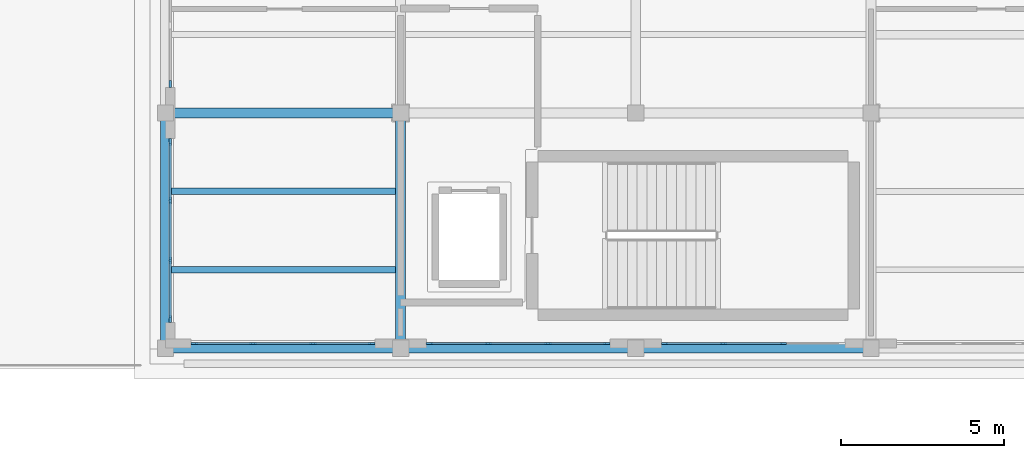
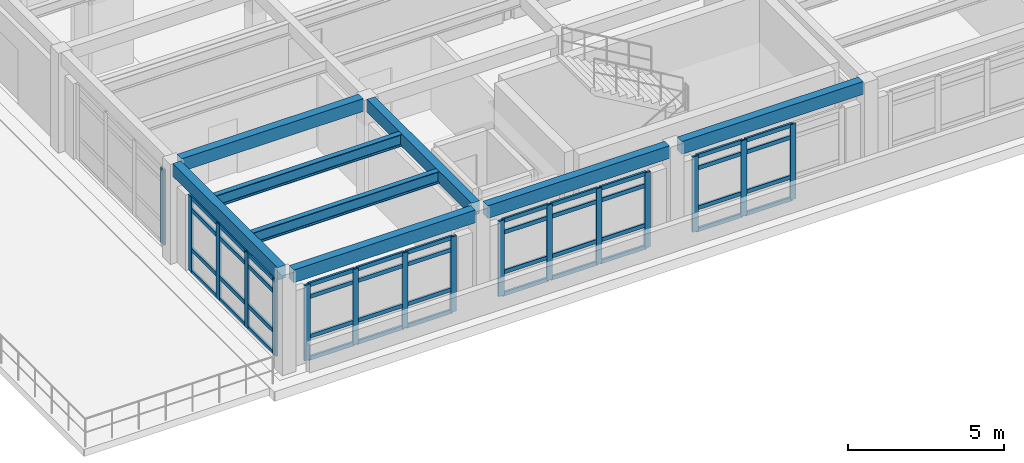
# One storey, part 2 of 18: 60 members, 8 beams, 5 elements without a shape of their own.
"""IFC4 building model written with IfcOpenShell, lengths in metres."""

from ifc_helpers import new_model, si_unit, direction, frame, origin, origin_2d, place, context, subcontext, project, spatial, rectangle, i_section, extrude, material, layer, layer_set, material_profile, profile_set, type_object, element, aggregate, save


model = new_model("IFC4")

# Units and contexts
model_context = context("Model", 3, precision=1e-05, world=origin(), true_north=direction((0.0, 1.0)))
body_context = subcontext(model_context, "Body", "Model", "MODEL_VIEW")
ifc_project = project(units=[si_unit("LENGTHUNIT", "METRE"), si_unit("AREAUNIT", "SQUARE_METRE"), si_unit("VOLUMEUNIT", "CUBIC_METRE"), si_unit("PLANEANGLEUNIT", "RADIAN"), si_unit("MASSUNIT", "GRAM", prefix="KILO")], contexts=[model_context])

# Site, building, storey
site_placement = place(None, origin())
site = spatial("IfcSite", under=ifc_project, at=site_placement, CompositionType="ELEMENT")
building_placement = place(site_placement, origin())
building = spatial("IfcBuilding", under=site, at=building_placement, Name="Solenvale Faculty of Natural Sciences", CompositionType="ELEMENT")
storey_placement = place(building_placement, frame((0.0, 0.0, 39.60009765625)))
storey = spatial("IfcBuildingStorey", under=building, at=storey_placement, Name="L09", CompositionType="ELEMENT", Elevation=39.60009765625)

# Beams
ifc_material_1 = material(Name="Concrete 40 MPa", Category="concrete")
ifc_material_profile_1 = material_profile(ifc_material_1, rectangle(XDim=0.300048828125, YDim=0.5, at=origin_2d()), Name="RC-BM-300x500")
ifc_profile_set_1 = profile_set([ifc_material_profile_1], Name="Concrete 40 MPa")
beam_type_1 = type_object("IfcBeamType", Name="BM-RC-300x500", PredefinedType="BEAM", material=ifc_profile_set_1)
for number, where, z_axis, x_axis, name in (
    (1, (93.830078125, 93.60009765625, 3.669921875), (1.0, 0.0, 0.0), (0.0, 1.0, 0.0), "L09 X-Girder Y93.6 (93.6..100.8)"),
    (2, (101.030029296875, 93.60009765625, 3.669921875), (1.0, 0.0, 0.0), (0.0, 1.0, 0.0), "L09 X-Girder Y93.6 (100.8..108.0)"),
    (3, (108.22998046875, 93.60009765625, 3.669921875), (1.0, 0.0, 0.0), (0.0, 1.0, 0.0), "L09 X-Girder Y93.6 (108.0..115.2)"),
    (4, (93.830078125, 100.800048828125, 3.669921875), (1.0, 0.0, 0.0), (0.0, 1.0, 0.0), "L09 X-Girder Y100.8 (93.6..100.8)"),
    (5, (93.60009765625, 93.830078125, 3.669921875), (0.0, 1.0, 0.0), (-1.0, 0.0, 0.0), "L09 Y-Girder X93.6 (93.6..100.8)"),
    (6, (100.800048828125, 93.830078125, 3.669921875), (0.0, 1.0, 0.0), (-1.0, 0.0, 0.0), "L09 Y-Girder X100.8 (93.6..100.8)"),
):
    element("IfcBeam", number, at=place(storey_placement, frame(where, z_axis=z_axis, x_axis=x_axis)), inside=storey, type_object=beam_type_1, Name=name, PredefinedType="BEAM", context=body_context, shape_type="SweptSolid", body=[
        extrude(rectangle(XDim=0.300048828125, YDim=0.5, at=origin_2d()), origin(), (0.0, 0.0, 1.0), 6.739990234375),
    ])
ifc_material_2 = material(Name="Steel S355", Category="steel")
ifc_material_profile_2 = material_profile(ifc_material_2, i_section(OverallWidth=0.194091796875, OverallDepth=0.468994140625, WebThickness=0.0126953125, FlangeThickness=0.0205078125, FilletRadius=0.01806640625, at=origin_2d()), Name="W460x106")
ifc_profile_set_2 = profile_set([ifc_material_profile_2], Name="Steel S355")
beam_type_2 = type_object("IfcBeamType", Name="BM-STL-W460x106", PredefinedType="JOIST", material=ifc_profile_set_2)
for number, where, z_axis, x_axis, name in (
    (7, (93.72998046875, 96.0, 3.685302734375), (1.0, 0.0, 0.0), (0.0, 1.0, 0.0), "L09 Composite Floor Joist (14,14).1"),
    (8, (93.72998046875, 98.39990234375, 3.685302734375), (1.0, 0.0, 0.0), (0.0, 1.0, 0.0), "L09 Composite Floor Joist (14,14).2"),
):
    element("IfcBeam", number, at=place(storey_placement, frame(where, z_axis=z_axis, x_axis=x_axis)), inside=storey, type_object=beam_type_2, Name=name, PredefinedType="JOIST", context=body_context, shape_type="SweptSolid", body=[
        extrude(i_section(OverallWidth=0.194091796875, OverallDepth=0.468994140625, WebThickness=0.0126953125, FlangeThickness=0.0205078125, FilletRadius=0.01806640625, at=origin_2d()), origin(), (0.0, 0.0, 1.0), 6.93994140625),
    ])

# Curtain wall, member
ifc_material_3 = material(Name="Anodised bronze aluminium", Category="aluminium")
ifc_layer = layer(ifc_material_3, 0.179931640625)
ifc_layer_set = layer_set([ifc_layer], Name="Anodised bronze aluminium")
curtain_wall_type = type_object("IfcCurtainWallType", Name="CW-TWR-MOD", PredefinedType="USERDEFINED", material=ifc_layer_set)
curtain_wall_1_placement = place(storey_placement, origin())
curtain_wall_1 = element("IfcCurtainWall", 9, at=curtain_wall_1_placement, inside=storey, type_object=curtain_wall_type, Name="L09 Curtain Wall CW-L09-P1-E3-B2", ObjectType="UNITISED CURTAIN WALL", PredefinedType="USERDEFINED")
ifc_material_profile_3 = material_profile(ifc_material_3, rectangle(XDim=0.074951171875, YDim=0.2099609375, at=origin_2d()), Name="ALU-MUL-75x210")
ifc_profile_set_3 = profile_set([ifc_material_profile_3], Name="Anodised bronze aluminium")
member_type_1 = type_object("IfcMemberType", Name="CWM-ALU-75x210", PredefinedType="MULLION", material=ifc_profile_set_3)
member_1_placement = place(storey_placement, frame((93.742431640625, 101.6875, 0.0), z_axis=(0.0, 0.0, 1.0), x_axis=(1.0, 0.0, 0.0)))
member_1 = element("IfcMember", 10, at=member_1_placement, type_object=member_type_1, Name="CW-04 mullion 4", PredefinedType="MULLION", context=body_context, shape_type="SweptSolid", body=[
    extrude(rectangle(XDim=0.074951171875, YDim=0.2099609375, at=origin_2d()), origin(), (0.0, 0.0, 1.0), 2.9599609375),
])
aggregate(curtain_wall_1, [member_1])

# Curtain wall, members
curtain_wall_2_placement = place(storey_placement, origin())
curtain_wall_2 = element("IfcCurtainWall", 11, at=curtain_wall_2_placement, inside=storey, type_object=curtain_wall_type, Name="L09 Curtain Wall CW-L09-P1-E3-B3", ObjectType="UNITISED CURTAIN WALL", PredefinedType="USERDEFINED")
member_2_placement = place(storey_placement, frame((93.742431640625, 99.91259765625, 0.0), z_axis=(0.0, 0.0, 1.0), x_axis=(1.0, 0.0, 0.0)))
member_2 = element("IfcMember", 12, at=member_2_placement, type_object=member_type_1, Name="CW-04 mullion 1", PredefinedType="MULLION", context=body_context, shape_type="SweptSolid", body=[
    extrude(rectangle(XDim=0.074951171875, YDim=0.2099609375, at=origin_2d()), origin(), (0.0, 0.0, 1.0), 2.9599609375),
])
member_3_placement = place(storey_placement, frame((93.742431640625, 98.11669921875, 0.0), z_axis=(0.0, 0.0, 1.0), x_axis=(1.0, 0.0, 0.0)))
member_3 = element("IfcMember", 13, at=member_3_placement, type_object=member_type_1, Name="CW-04 mullion 2", PredefinedType="MULLION", context=body_context, shape_type="SweptSolid", body=[
    extrude(rectangle(XDim=0.074951171875, YDim=0.2099609375, at=origin_2d()), origin(), (0.0, 0.0, 1.0), 2.9599609375),
])
member_4_placement = place(storey_placement, frame((93.742431640625, 96.283447265625, 0.0), z_axis=(0.0, 0.0, 1.0), x_axis=(1.0, 0.0, 0.0)))
member_4 = element("IfcMember", 14, at=member_4_placement, type_object=member_type_1, Name="CW-04 mullion 3", PredefinedType="MULLION", context=body_context, shape_type="SweptSolid", body=[
    extrude(rectangle(XDim=0.074951171875, YDim=0.2099609375, at=origin_2d()), origin(), (0.0, 0.0, 1.0), 2.9599609375),
])
member_5_placement = place(storey_placement, frame((93.742431640625, 94.487548828125, 0.0), z_axis=(0.0, 0.0, 1.0), x_axis=(1.0, 0.0, 0.0)))
member_5 = element("IfcMember", 15, at=member_5_placement, type_object=member_type_1, Name="CW-04 mullion 4", PredefinedType="MULLION", context=body_context, shape_type="SweptSolid", body=[
    extrude(rectangle(XDim=0.074951171875, YDim=0.2099609375, at=origin_2d()), origin(), (0.0, 0.0, 1.0), 2.9599609375),
])

curtain_wall_3_placement = place(storey_placement, origin())
curtain_wall_3 = element("IfcCurtainWall", 16, at=curtain_wall_3_placement, inside=storey, type_object=curtain_wall_type, Name="L09 Curtain Wall CW-L09-P1-E4-B1", ObjectType="UNITISED CURTAIN WALL", PredefinedType="USERDEFINED")
member_6_placement = place(storey_placement, frame((94.487548828125, 93.742431640625, 0.0), z_axis=(0.0, 0.0, 1.0), x_axis=(0.0, 1.0, 0.0)))
member_6 = element("IfcMember", 17, at=member_6_placement, type_object=member_type_1, Name="CW-04 mullion 1", PredefinedType="MULLION", context=body_context, shape_type="SweptSolid", body=[
    extrude(rectangle(XDim=0.074951171875, YDim=0.2099609375, at=origin_2d()), origin(), (0.0, 0.0, 1.0), 2.9599609375),
])
member_7_placement = place(storey_placement, frame((96.283447265625, 93.742431640625, 0.0), z_axis=(0.0, 0.0, 1.0), x_axis=(0.0, 1.0, 0.0)))
member_7 = element("IfcMember", 18, at=member_7_placement, type_object=member_type_1, Name="CW-04 mullion 2", PredefinedType="MULLION", context=body_context, shape_type="SweptSolid", body=[
    extrude(rectangle(XDim=0.074951171875, YDim=0.2099609375, at=origin_2d()), origin(), (0.0, 0.0, 1.0), 2.9599609375),
])
member_8_placement = place(storey_placement, frame((98.11669921875, 93.742431640625, 0.0), z_axis=(0.0, 0.0, 1.0), x_axis=(0.0, 1.0, 0.0)))
member_8 = element("IfcMember", 19, at=member_8_placement, type_object=member_type_1, Name="CW-04 mullion 3", PredefinedType="MULLION", context=body_context, shape_type="SweptSolid", body=[
    extrude(rectangle(XDim=0.074951171875, YDim=0.2099609375, at=origin_2d()), origin(), (0.0, 0.0, 1.0), 2.9599609375),
])
member_9_placement = place(storey_placement, frame((99.91259765625, 93.742431640625, 0.0), z_axis=(0.0, 0.0, 1.0), x_axis=(0.0, 1.0, 0.0)))
member_9 = element("IfcMember", 20, at=member_9_placement, type_object=member_type_1, Name="CW-04 mullion 4", PredefinedType="MULLION", context=body_context, shape_type="SweptSolid", body=[
    extrude(rectangle(XDim=0.074951171875, YDim=0.2099609375, at=origin_2d()), origin(), (0.0, 0.0, 1.0), 2.9599609375),
])

curtain_wall_4_placement = place(storey_placement, origin())
curtain_wall_4 = element("IfcCurtainWall", 21, at=curtain_wall_4_placement, inside=storey, type_object=curtain_wall_type, Name="L09 Curtain Wall CW-L09-P1-E4-B2", ObjectType="UNITISED CURTAIN WALL", PredefinedType="USERDEFINED")
member_10_placement = place(storey_placement, frame((101.6875, 93.742431640625, 0.0), z_axis=(0.0, 0.0, 1.0), x_axis=(0.0, 1.0, 0.0)))
member_10 = element("IfcMember", 22, at=member_10_placement, type_object=member_type_1, Name="CW-04 mullion 1", PredefinedType="MULLION", context=body_context, shape_type="SweptSolid", body=[
    extrude(rectangle(XDim=0.074951171875, YDim=0.2099609375, at=origin_2d()), origin(), (0.0, 0.0, 1.0), 2.9599609375),
])
member_11_placement = place(storey_placement, frame((103.4833984375, 93.742431640625, 0.0), z_axis=(0.0, 0.0, 1.0), x_axis=(0.0, 1.0, 0.0)))
member_11 = element("IfcMember", 23, at=member_11_placement, type_object=member_type_1, Name="CW-04 mullion 2", PredefinedType="MULLION", context=body_context, shape_type="SweptSolid", body=[
    extrude(rectangle(XDim=0.074951171875, YDim=0.2099609375, at=origin_2d()), origin(), (0.0, 0.0, 1.0), 2.9599609375),
])
member_12_placement = place(storey_placement, frame((105.316650390625, 93.742431640625, 0.0), z_axis=(0.0, 0.0, 1.0), x_axis=(0.0, 1.0, 0.0)))
member_12 = element("IfcMember", 24, at=member_12_placement, type_object=member_type_1, Name="CW-04 mullion 3", PredefinedType="MULLION", context=body_context, shape_type="SweptSolid", body=[
    extrude(rectangle(XDim=0.074951171875, YDim=0.2099609375, at=origin_2d()), origin(), (0.0, 0.0, 1.0), 2.9599609375),
])
member_13_placement = place(storey_placement, frame((107.112548828125, 93.742431640625, 0.0), z_axis=(0.0, 0.0, 1.0), x_axis=(0.0, 1.0, 0.0)))
member_13 = element("IfcMember", 25, at=member_13_placement, type_object=member_type_1, Name="CW-04 mullion 4", PredefinedType="MULLION", context=body_context, shape_type="SweptSolid", body=[
    extrude(rectangle(XDim=0.074951171875, YDim=0.2099609375, at=origin_2d()), origin(), (0.0, 0.0, 1.0), 2.9599609375),
])

curtain_wall_5_placement = place(storey_placement, origin())
curtain_wall_5 = element("IfcCurtainWall", 26, at=curtain_wall_5_placement, inside=storey, type_object=curtain_wall_type, Name="L09 Curtain Wall CW-L09-P1-E4-B3", ObjectType="UNITISED CURTAIN WALL", PredefinedType="USERDEFINED")
member_14_placement = place(storey_placement, frame((108.887451171875, 93.742431640625, 0.0), z_axis=(0.0, 0.0, 1.0), x_axis=(0.0, 1.0, 0.0)))
member_14 = element("IfcMember", 27, at=member_14_placement, type_object=member_type_1, Name="CW-04 mullion 1", PredefinedType="MULLION", context=body_context, shape_type="SweptSolid", body=[
    extrude(rectangle(XDim=0.074951171875, YDim=0.2099609375, at=origin_2d()), origin(), (0.0, 0.0, 1.0), 2.9599609375),
])
member_15_placement = place(storey_placement, frame((110.683349609375, 93.742431640625, 0.0), z_axis=(0.0, 0.0, 1.0), x_axis=(0.0, 1.0, 0.0)))
member_15 = element("IfcMember", 28, at=member_15_placement, type_object=member_type_1, Name="CW-04 mullion 2", PredefinedType="MULLION", context=body_context, shape_type="SweptSolid", body=[
    extrude(rectangle(XDim=0.074951171875, YDim=0.2099609375, at=origin_2d()), origin(), (0.0, 0.0, 1.0), 2.9599609375),
])
member_16_placement = place(storey_placement, frame((112.5166015625, 93.742431640625, 0.0), z_axis=(0.0, 0.0, 1.0), x_axis=(0.0, 1.0, 0.0)))
member_16 = element("IfcMember", 29, at=member_16_placement, type_object=member_type_1, Name="CW-04 mullion 3", PredefinedType="MULLION", context=body_context, shape_type="SweptSolid", body=[
    extrude(rectangle(XDim=0.074951171875, YDim=0.2099609375, at=origin_2d()), origin(), (0.0, 0.0, 1.0), 2.9599609375),
])

# Member
ifc_material_profile_4 = material_profile(ifc_material_3, rectangle(XDim=0.074951171875, YDim=0.155029296875, at=origin_2d()), Name="ALU-TRN-75x155")
ifc_profile_set_4 = profile_set([ifc_material_profile_4], Name="Anodised bronze aluminium")
member_type_2 = type_object("IfcMemberType", Name="CWT-ALU-75x155", PredefinedType="USERDEFINED", material=ifc_profile_set_4)
member_17_placement = place(storey_placement, frame((93.742431640625, 99.875, 0.037353515625), z_axis=(0.0, -1.0, 0.0), x_axis=(1.0, 0.0, 0.0)))
member_17 = element("IfcMember", 30, at=member_17_placement, type_object=member_type_2, Name="CW-04 transom 1.1", ObjectType="TRANSOM", PredefinedType="USERDEFINED", context=body_context, shape_type="SweptSolid", body=[
    extrude(rectangle(XDim=0.074951171875, YDim=0.155029296875, at=origin_2d()), origin(), (0.0, 0.0, 1.0), 1.720947265625),
])

member_18_placement = place(storey_placement, frame((93.742431640625, 99.875, 0.89990234375), z_axis=(0.0, -1.0, 0.0), x_axis=(1.0, 0.0, 0.0)))
member_18 = element("IfcMember", 31, at=member_18_placement, type_object=member_type_2, Name="CW-04 transom 1.2", ObjectType="TRANSOM", PredefinedType="USERDEFINED", context=body_context, shape_type="SweptSolid", body=[
    extrude(rectangle(XDim=0.074951171875, YDim=0.155029296875, at=origin_2d()), origin(), (0.0, 0.0, 1.0), 1.720947265625),
])

member_19_placement = place(storey_placement, frame((93.742431640625, 99.875, 2.4599609375), z_axis=(0.0, -1.0, 0.0), x_axis=(1.0, 0.0, 0.0)))
member_19 = element("IfcMember", 32, at=member_19_placement, type_object=member_type_2, Name="CW-04 transom 1.3", ObjectType="TRANSOM", PredefinedType="USERDEFINED", context=body_context, shape_type="SweptSolid", body=[
    extrude(rectangle(XDim=0.074951171875, YDim=0.155029296875, at=origin_2d()), origin(), (0.0, 0.0, 1.0), 1.720947265625),
])

member_20_placement = place(storey_placement, frame((93.742431640625, 99.875, 2.92236328125), z_axis=(0.0, -1.0, 0.0), x_axis=(1.0, 0.0, 0.0)))
member_20 = element("IfcMember", 33, at=member_20_placement, type_object=member_type_2, Name="CW-04 transom 1.4", ObjectType="TRANSOM", PredefinedType="USERDEFINED", context=body_context, shape_type="SweptSolid", body=[
    extrude(rectangle(XDim=0.074951171875, YDim=0.155029296875, at=origin_2d()), origin(), (0.0, 0.0, 1.0), 1.720947265625),
])

member_21_placement = place(storey_placement, frame((93.742431640625, 98.0791015625, 0.037353515625), z_axis=(0.0, -1.0, 0.0), x_axis=(1.0, 0.0, 0.0)))
member_21 = element("IfcMember", 34, at=member_21_placement, type_object=member_type_2, Name="CW-04 transom 2.1", ObjectType="TRANSOM", PredefinedType="USERDEFINED", context=body_context, shape_type="SweptSolid", body=[
    extrude(rectangle(XDim=0.074951171875, YDim=0.155029296875, at=origin_2d()), origin(), (0.0, 0.0, 1.0), 1.75830078125),
])

member_22_placement = place(storey_placement, frame((93.742431640625, 98.0791015625, 0.89990234375), z_axis=(0.0, -1.0, 0.0), x_axis=(1.0, 0.0, 0.0)))
member_22 = element("IfcMember", 35, at=member_22_placement, type_object=member_type_2, Name="CW-04 transom 2.2", ObjectType="TRANSOM", PredefinedType="USERDEFINED", context=body_context, shape_type="SweptSolid", body=[
    extrude(rectangle(XDim=0.074951171875, YDim=0.155029296875, at=origin_2d()), origin(), (0.0, 0.0, 1.0), 1.75830078125),
])

member_23_placement = place(storey_placement, frame((93.742431640625, 98.0791015625, 2.4599609375), z_axis=(0.0, -1.0, 0.0), x_axis=(1.0, 0.0, 0.0)))
member_23 = element("IfcMember", 36, at=member_23_placement, type_object=member_type_2, Name="CW-04 transom 2.3", ObjectType="TRANSOM", PredefinedType="USERDEFINED", context=body_context, shape_type="SweptSolid", body=[
    extrude(rectangle(XDim=0.074951171875, YDim=0.155029296875, at=origin_2d()), origin(), (0.0, 0.0, 1.0), 1.75830078125),
])

member_24_placement = place(storey_placement, frame((93.742431640625, 98.0791015625, 2.92236328125), z_axis=(0.0, -1.0, 0.0), x_axis=(1.0, 0.0, 0.0)))
member_24 = element("IfcMember", 37, at=member_24_placement, type_object=member_type_2, Name="CW-04 transom 2.4", ObjectType="TRANSOM", PredefinedType="USERDEFINED", context=body_context, shape_type="SweptSolid", body=[
    extrude(rectangle(XDim=0.074951171875, YDim=0.155029296875, at=origin_2d()), origin(), (0.0, 0.0, 1.0), 1.75830078125),
])

member_25_placement = place(storey_placement, frame((93.742431640625, 96.245849609375, 0.037353515625), z_axis=(0.0, -1.0, 0.0), x_axis=(1.0, 0.0, 0.0)))
member_25 = element("IfcMember", 38, at=member_25_placement, type_object=member_type_2, Name="CW-04 transom 3.1", ObjectType="TRANSOM", PredefinedType="USERDEFINED", context=body_context, shape_type="SweptSolid", body=[
    extrude(rectangle(XDim=0.074951171875, YDim=0.155029296875, at=origin_2d()), origin(), (0.0, 0.0, 1.0), 1.720947265625),
])

member_26_placement = place(storey_placement, frame((93.742431640625, 96.245849609375, 0.89990234375), z_axis=(0.0, -1.0, 0.0), x_axis=(1.0, 0.0, 0.0)))
member_26 = element("IfcMember", 39, at=member_26_placement, type_object=member_type_2, Name="CW-04 transom 3.2", ObjectType="TRANSOM", PredefinedType="USERDEFINED", context=body_context, shape_type="SweptSolid", body=[
    extrude(rectangle(XDim=0.074951171875, YDim=0.155029296875, at=origin_2d()), origin(), (0.0, 0.0, 1.0), 1.720947265625),
])

member_27_placement = place(storey_placement, frame((93.742431640625, 96.245849609375, 2.4599609375), z_axis=(0.0, -1.0, 0.0), x_axis=(1.0, 0.0, 0.0)))
member_27 = element("IfcMember", 40, at=member_27_placement, type_object=member_type_2, Name="CW-04 transom 3.3", ObjectType="TRANSOM", PredefinedType="USERDEFINED", context=body_context, shape_type="SweptSolid", body=[
    extrude(rectangle(XDim=0.074951171875, YDim=0.155029296875, at=origin_2d()), origin(), (0.0, 0.0, 1.0), 1.720947265625),
])

member_28_placement = place(storey_placement, frame((93.742431640625, 96.245849609375, 2.92236328125), z_axis=(0.0, -1.0, 0.0), x_axis=(1.0, 0.0, 0.0)))
member_28 = element("IfcMember", 41, at=member_28_placement, type_object=member_type_2, Name="CW-04 transom 3.4", ObjectType="TRANSOM", PredefinedType="USERDEFINED", context=body_context, shape_type="SweptSolid", body=[
    extrude(rectangle(XDim=0.074951171875, YDim=0.155029296875, at=origin_2d()), origin(), (0.0, 0.0, 1.0), 1.720947265625),
])

aggregate(curtain_wall_2, [member_2, member_3, member_4, member_5, member_17, member_18, member_19, member_20, member_21, member_22, member_23, member_24, member_25, member_26, member_27, member_28])

member_29_placement = place(storey_placement, frame((94.52490234375, 93.742431640625, 0.037353515625), z_axis=(1.0, 0.0, 0.0), x_axis=(0.0, 1.0, 0.0)))
member_29 = element("IfcMember", 42, at=member_29_placement, type_object=member_type_2, Name="CW-04 transom 1.1", ObjectType="TRANSOM", PredefinedType="USERDEFINED", context=body_context, shape_type="SweptSolid", body=[
    extrude(rectangle(XDim=0.074951171875, YDim=0.155029296875, at=origin_2d()), origin(), (0.0, 0.0, 1.0), 1.720947265625),
])

member_30_placement = place(storey_placement, frame((94.52490234375, 93.742431640625, 0.89990234375), z_axis=(1.0, 0.0, 0.0), x_axis=(0.0, 1.0, 0.0)))
member_30 = element("IfcMember", 43, at=member_30_placement, type_object=member_type_2, Name="CW-04 transom 1.2", ObjectType="TRANSOM", PredefinedType="USERDEFINED", context=body_context, shape_type="SweptSolid", body=[
    extrude(rectangle(XDim=0.074951171875, YDim=0.155029296875, at=origin_2d()), origin(), (0.0, 0.0, 1.0), 1.720947265625),
])

member_31_placement = place(storey_placement, frame((94.52490234375, 93.742431640625, 2.4599609375), z_axis=(1.0, 0.0, 0.0), x_axis=(0.0, 1.0, 0.0)))
member_31 = element("IfcMember", 44, at=member_31_placement, type_object=member_type_2, Name="CW-04 transom 1.3", ObjectType="TRANSOM", PredefinedType="USERDEFINED", context=body_context, shape_type="SweptSolid", body=[
    extrude(rectangle(XDim=0.074951171875, YDim=0.155029296875, at=origin_2d()), origin(), (0.0, 0.0, 1.0), 1.720947265625),
])

member_32_placement = place(storey_placement, frame((94.52490234375, 93.742431640625, 2.92236328125), z_axis=(1.0, 0.0, 0.0), x_axis=(0.0, 1.0, 0.0)))
member_32 = element("IfcMember", 45, at=member_32_placement, type_object=member_type_2, Name="CW-04 transom 1.4", ObjectType="TRANSOM", PredefinedType="USERDEFINED", context=body_context, shape_type="SweptSolid", body=[
    extrude(rectangle(XDim=0.074951171875, YDim=0.155029296875, at=origin_2d()), origin(), (0.0, 0.0, 1.0), 1.720947265625),
])

member_33_placement = place(storey_placement, frame((96.32080078125, 93.742431640625, 0.037353515625), z_axis=(1.0, 0.0, 0.0), x_axis=(0.0, 1.0, 0.0)))
member_33 = element("IfcMember", 46, at=member_33_placement, type_object=member_type_2, Name="CW-04 transom 2.1", ObjectType="TRANSOM", PredefinedType="USERDEFINED", context=body_context, shape_type="SweptSolid", body=[
    extrude(rectangle(XDim=0.074951171875, YDim=0.155029296875, at=origin_2d()), origin(), (0.0, 0.0, 1.0), 1.75830078125),
])

member_34_placement = place(storey_placement, frame((96.32080078125, 93.742431640625, 0.89990234375), z_axis=(1.0, 0.0, 0.0), x_axis=(0.0, 1.0, 0.0)))
member_34 = element("IfcMember", 47, at=member_34_placement, type_object=member_type_2, Name="CW-04 transom 2.2", ObjectType="TRANSOM", PredefinedType="USERDEFINED", context=body_context, shape_type="SweptSolid", body=[
    extrude(rectangle(XDim=0.074951171875, YDim=0.155029296875, at=origin_2d()), origin(), (0.0, 0.0, 1.0), 1.75830078125),
])

member_35_placement = place(storey_placement, frame((96.32080078125, 93.742431640625, 2.4599609375), z_axis=(1.0, 0.0, 0.0), x_axis=(0.0, 1.0, 0.0)))
member_35 = element("IfcMember", 48, at=member_35_placement, type_object=member_type_2, Name="CW-04 transom 2.3", ObjectType="TRANSOM", PredefinedType="USERDEFINED", context=body_context, shape_type="SweptSolid", body=[
    extrude(rectangle(XDim=0.074951171875, YDim=0.155029296875, at=origin_2d()), origin(), (0.0, 0.0, 1.0), 1.75830078125),
])

member_36_placement = place(storey_placement, frame((96.32080078125, 93.742431640625, 2.92236328125), z_axis=(1.0, 0.0, 0.0), x_axis=(0.0, 1.0, 0.0)))
member_36 = element("IfcMember", 49, at=member_36_placement, type_object=member_type_2, Name="CW-04 transom 2.4", ObjectType="TRANSOM", PredefinedType="USERDEFINED", context=body_context, shape_type="SweptSolid", body=[
    extrude(rectangle(XDim=0.074951171875, YDim=0.155029296875, at=origin_2d()), origin(), (0.0, 0.0, 1.0), 1.75830078125),
])

member_37_placement = place(storey_placement, frame((98.154052734375, 93.742431640625, 0.037353515625), z_axis=(1.0, 0.0, 0.0), x_axis=(0.0, 1.0, 0.0)))
member_37 = element("IfcMember", 50, at=member_37_placement, type_object=member_type_2, Name="CW-04 transom 3.1", ObjectType="TRANSOM", PredefinedType="USERDEFINED", context=body_context, shape_type="SweptSolid", body=[
    extrude(rectangle(XDim=0.074951171875, YDim=0.155029296875, at=origin_2d()), origin(), (0.0, 0.0, 1.0), 1.720947265625),
])

member_38_placement = place(storey_placement, frame((98.154052734375, 93.742431640625, 0.89990234375), z_axis=(1.0, 0.0, 0.0), x_axis=(0.0, 1.0, 0.0)))
member_38 = element("IfcMember", 51, at=member_38_placement, type_object=member_type_2, Name="CW-04 transom 3.2", ObjectType="TRANSOM", PredefinedType="USERDEFINED", context=body_context, shape_type="SweptSolid", body=[
    extrude(rectangle(XDim=0.074951171875, YDim=0.155029296875, at=origin_2d()), origin(), (0.0, 0.0, 1.0), 1.720947265625),
])

member_39_placement = place(storey_placement, frame((98.154052734375, 93.742431640625, 2.4599609375), z_axis=(1.0, 0.0, 0.0), x_axis=(0.0, 1.0, 0.0)))
member_39 = element("IfcMember", 52, at=member_39_placement, type_object=member_type_2, Name="CW-04 transom 3.3", ObjectType="TRANSOM", PredefinedType="USERDEFINED", context=body_context, shape_type="SweptSolid", body=[
    extrude(rectangle(XDim=0.074951171875, YDim=0.155029296875, at=origin_2d()), origin(), (0.0, 0.0, 1.0), 1.720947265625),
])

member_40_placement = place(storey_placement, frame((98.154052734375, 93.742431640625, 2.92236328125), z_axis=(1.0, 0.0, 0.0), x_axis=(0.0, 1.0, 0.0)))
member_40 = element("IfcMember", 53, at=member_40_placement, type_object=member_type_2, Name="CW-04 transom 3.4", ObjectType="TRANSOM", PredefinedType="USERDEFINED", context=body_context, shape_type="SweptSolid", body=[
    extrude(rectangle(XDim=0.074951171875, YDim=0.155029296875, at=origin_2d()), origin(), (0.0, 0.0, 1.0), 1.720947265625),
])

aggregate(curtain_wall_3, [member_6, member_7, member_8, member_9, member_29, member_30, member_31, member_32, member_33, member_34, member_35, member_36, member_37, member_38, member_39, member_40])

member_41_placement = place(storey_placement, frame((101.72509765625, 93.742431640625, 0.037353515625), z_axis=(1.0, 0.0, 0.0), x_axis=(0.0, 1.0, 0.0)))
member_41 = element("IfcMember", 54, at=member_41_placement, type_object=member_type_2, Name="CW-04 transom 1.1", ObjectType="TRANSOM", PredefinedType="USERDEFINED", context=body_context, shape_type="SweptSolid", body=[
    extrude(rectangle(XDim=0.074951171875, YDim=0.155029296875, at=origin_2d()), origin(), (0.0, 0.0, 1.0), 1.720703125),
])

member_42_placement = place(storey_placement, frame((101.72509765625, 93.742431640625, 0.89990234375), z_axis=(1.0, 0.0, 0.0), x_axis=(0.0, 1.0, 0.0)))
member_42 = element("IfcMember", 55, at=member_42_placement, type_object=member_type_2, Name="CW-04 transom 1.2", ObjectType="TRANSOM", PredefinedType="USERDEFINED", context=body_context, shape_type="SweptSolid", body=[
    extrude(rectangle(XDim=0.074951171875, YDim=0.155029296875, at=origin_2d()), origin(), (0.0, 0.0, 1.0), 1.720703125),
])

member_43_placement = place(storey_placement, frame((101.72509765625, 93.742431640625, 2.4599609375), z_axis=(1.0, 0.0, 0.0), x_axis=(0.0, 1.0, 0.0)))
member_43 = element("IfcMember", 56, at=member_43_placement, type_object=member_type_2, Name="CW-04 transom 1.3", ObjectType="TRANSOM", PredefinedType="USERDEFINED", context=body_context, shape_type="SweptSolid", body=[
    extrude(rectangle(XDim=0.074951171875, YDim=0.155029296875, at=origin_2d()), origin(), (0.0, 0.0, 1.0), 1.720703125),
])

member_44_placement = place(storey_placement, frame((101.72509765625, 93.742431640625, 2.92236328125), z_axis=(1.0, 0.0, 0.0), x_axis=(0.0, 1.0, 0.0)))
member_44 = element("IfcMember", 57, at=member_44_placement, type_object=member_type_2, Name="CW-04 transom 1.4", ObjectType="TRANSOM", PredefinedType="USERDEFINED", context=body_context, shape_type="SweptSolid", body=[
    extrude(rectangle(XDim=0.074951171875, YDim=0.155029296875, at=origin_2d()), origin(), (0.0, 0.0, 1.0), 1.720703125),
])

member_45_placement = place(storey_placement, frame((103.520751953125, 93.742431640625, 0.037353515625), z_axis=(1.0, 0.0, 0.0), x_axis=(0.0, 1.0, 0.0)))
member_45 = element("IfcMember", 58, at=member_45_placement, type_object=member_type_2, Name="CW-04 transom 2.1", ObjectType="TRANSOM", PredefinedType="USERDEFINED", context=body_context, shape_type="SweptSolid", body=[
    extrude(rectangle(XDim=0.074951171875, YDim=0.155029296875, at=origin_2d()), origin(), (0.0, 0.0, 1.0), 1.75830078125),
])

member_46_placement = place(storey_placement, frame((103.520751953125, 93.742431640625, 0.89990234375), z_axis=(1.0, 0.0, 0.0), x_axis=(0.0, 1.0, 0.0)))
member_46 = element("IfcMember", 59, at=member_46_placement, type_object=member_type_2, Name="CW-04 transom 2.2", ObjectType="TRANSOM", PredefinedType="USERDEFINED", context=body_context, shape_type="SweptSolid", body=[
    extrude(rectangle(XDim=0.074951171875, YDim=0.155029296875, at=origin_2d()), origin(), (0.0, 0.0, 1.0), 1.75830078125),
])

member_47_placement = place(storey_placement, frame((103.520751953125, 93.742431640625, 2.4599609375), z_axis=(1.0, 0.0, 0.0), x_axis=(0.0, 1.0, 0.0)))
member_47 = element("IfcMember", 60, at=member_47_placement, type_object=member_type_2, Name="CW-04 transom 2.3", ObjectType="TRANSOM", PredefinedType="USERDEFINED", context=body_context, shape_type="SweptSolid", body=[
    extrude(rectangle(XDim=0.074951171875, YDim=0.155029296875, at=origin_2d()), origin(), (0.0, 0.0, 1.0), 1.75830078125),
])

member_48_placement = place(storey_placement, frame((103.520751953125, 93.742431640625, 2.92236328125), z_axis=(1.0, 0.0, 0.0), x_axis=(0.0, 1.0, 0.0)))
member_48 = element("IfcMember", 61, at=member_48_placement, type_object=member_type_2, Name="CW-04 transom 2.4", ObjectType="TRANSOM", PredefinedType="USERDEFINED", context=body_context, shape_type="SweptSolid", body=[
    extrude(rectangle(XDim=0.074951171875, YDim=0.155029296875, at=origin_2d()), origin(), (0.0, 0.0, 1.0), 1.75830078125),
])

member_49_placement = place(storey_placement, frame((105.354248046875, 93.742431640625, 0.037353515625), z_axis=(1.0, 0.0, 0.0), x_axis=(0.0, 1.0, 0.0)))
member_49 = element("IfcMember", 62, at=member_49_placement, type_object=member_type_2, Name="CW-04 transom 3.1", ObjectType="TRANSOM", PredefinedType="USERDEFINED", context=body_context, shape_type="SweptSolid", body=[
    extrude(rectangle(XDim=0.074951171875, YDim=0.155029296875, at=origin_2d()), origin(), (0.0, 0.0, 1.0), 1.720703125),
])

member_50_placement = place(storey_placement, frame((105.354248046875, 93.742431640625, 0.89990234375), z_axis=(1.0, 0.0, 0.0), x_axis=(0.0, 1.0, 0.0)))
member_50 = element("IfcMember", 63, at=member_50_placement, type_object=member_type_2, Name="CW-04 transom 3.2", ObjectType="TRANSOM", PredefinedType="USERDEFINED", context=body_context, shape_type="SweptSolid", body=[
    extrude(rectangle(XDim=0.074951171875, YDim=0.155029296875, at=origin_2d()), origin(), (0.0, 0.0, 1.0), 1.720703125),
])

member_51_placement = place(storey_placement, frame((105.354248046875, 93.742431640625, 2.4599609375), z_axis=(1.0, 0.0, 0.0), x_axis=(0.0, 1.0, 0.0)))
member_51 = element("IfcMember", 64, at=member_51_placement, type_object=member_type_2, Name="CW-04 transom 3.3", ObjectType="TRANSOM", PredefinedType="USERDEFINED", context=body_context, shape_type="SweptSolid", body=[
    extrude(rectangle(XDim=0.074951171875, YDim=0.155029296875, at=origin_2d()), origin(), (0.0, 0.0, 1.0), 1.720703125),
])

member_52_placement = place(storey_placement, frame((105.354248046875, 93.742431640625, 2.92236328125), z_axis=(1.0, 0.0, 0.0), x_axis=(0.0, 1.0, 0.0)))
member_52 = element("IfcMember", 65, at=member_52_placement, type_object=member_type_2, Name="CW-04 transom 3.4", ObjectType="TRANSOM", PredefinedType="USERDEFINED", context=body_context, shape_type="SweptSolid", body=[
    extrude(rectangle(XDim=0.074951171875, YDim=0.155029296875, at=origin_2d()), origin(), (0.0, 0.0, 1.0), 1.720703125),
])

aggregate(curtain_wall_4, [member_10, member_11, member_12, member_13, member_41, member_42, member_43, member_44, member_45, member_46, member_47, member_48, member_49, member_50, member_51, member_52])

member_53_placement = place(storey_placement, frame((108.925048828125, 93.742431640625, 0.037353515625), z_axis=(1.0, 0.0, 0.0), x_axis=(0.0, 1.0, 0.0)))
member_53 = element("IfcMember", 66, at=member_53_placement, type_object=member_type_2, Name="CW-04 transom 1.1", ObjectType="TRANSOM", PredefinedType="USERDEFINED", context=body_context, shape_type="SweptSolid", body=[
    extrude(rectangle(XDim=0.074951171875, YDim=0.155029296875, at=origin_2d()), origin(), (0.0, 0.0, 1.0), 1.720703125),
])

member_54_placement = place(storey_placement, frame((108.925048828125, 93.742431640625, 0.89990234375), z_axis=(1.0, 0.0, 0.0), x_axis=(0.0, 1.0, 0.0)))
member_54 = element("IfcMember", 67, at=member_54_placement, type_object=member_type_2, Name="CW-04 transom 1.2", ObjectType="TRANSOM", PredefinedType="USERDEFINED", context=body_context, shape_type="SweptSolid", body=[
    extrude(rectangle(XDim=0.074951171875, YDim=0.155029296875, at=origin_2d()), origin(), (0.0, 0.0, 1.0), 1.720703125),
])

member_55_placement = place(storey_placement, frame((108.925048828125, 93.742431640625, 2.4599609375), z_axis=(1.0, 0.0, 0.0), x_axis=(0.0, 1.0, 0.0)))
member_55 = element("IfcMember", 68, at=member_55_placement, type_object=member_type_2, Name="CW-04 transom 1.3", ObjectType="TRANSOM", PredefinedType="USERDEFINED", context=body_context, shape_type="SweptSolid", body=[
    extrude(rectangle(XDim=0.074951171875, YDim=0.155029296875, at=origin_2d()), origin(), (0.0, 0.0, 1.0), 1.720703125),
])

member_56_placement = place(storey_placement, frame((108.925048828125, 93.742431640625, 2.92236328125), z_axis=(1.0, 0.0, 0.0), x_axis=(0.0, 1.0, 0.0)))
member_56 = element("IfcMember", 69, at=member_56_placement, type_object=member_type_2, Name="CW-04 transom 1.4", ObjectType="TRANSOM", PredefinedType="USERDEFINED", context=body_context, shape_type="SweptSolid", body=[
    extrude(rectangle(XDim=0.074951171875, YDim=0.155029296875, at=origin_2d()), origin(), (0.0, 0.0, 1.0), 1.720703125),
])

member_57_placement = place(storey_placement, frame((110.720947265625, 93.742431640625, 0.037353515625), z_axis=(1.0, 0.0, 0.0), x_axis=(0.0, 1.0, 0.0)))
member_57 = element("IfcMember", 70, at=member_57_placement, type_object=member_type_2, Name="CW-04 transom 2.1", ObjectType="TRANSOM", PredefinedType="USERDEFINED", context=body_context, shape_type="SweptSolid", body=[
    extrude(rectangle(XDim=0.074951171875, YDim=0.155029296875, at=origin_2d()), origin(), (0.0, 0.0, 1.0), 1.75830078125),
])

member_58_placement = place(storey_placement, frame((110.720947265625, 93.742431640625, 0.89990234375), z_axis=(1.0, 0.0, 0.0), x_axis=(0.0, 1.0, 0.0)))
member_58 = element("IfcMember", 71, at=member_58_placement, type_object=member_type_2, Name="CW-04 transom 2.2", ObjectType="TRANSOM", PredefinedType="USERDEFINED", context=body_context, shape_type="SweptSolid", body=[
    extrude(rectangle(XDim=0.074951171875, YDim=0.155029296875, at=origin_2d()), origin(), (0.0, 0.0, 1.0), 1.75830078125),
])

member_59_placement = place(storey_placement, frame((110.720947265625, 93.742431640625, 2.4599609375), z_axis=(1.0, 0.0, 0.0), x_axis=(0.0, 1.0, 0.0)))
member_59 = element("IfcMember", 72, at=member_59_placement, type_object=member_type_2, Name="CW-04 transom 2.3", ObjectType="TRANSOM", PredefinedType="USERDEFINED", context=body_context, shape_type="SweptSolid", body=[
    extrude(rectangle(XDim=0.074951171875, YDim=0.155029296875, at=origin_2d()), origin(), (0.0, 0.0, 1.0), 1.75830078125),
])

member_60_placement = place(storey_placement, frame((110.720947265625, 93.742431640625, 2.92236328125), z_axis=(1.0, 0.0, 0.0), x_axis=(0.0, 1.0, 0.0)))
member_60 = element("IfcMember", 73, at=member_60_placement, type_object=member_type_2, Name="CW-04 transom 2.4", ObjectType="TRANSOM", PredefinedType="USERDEFINED", context=body_context, shape_type="SweptSolid", body=[
    extrude(rectangle(XDim=0.074951171875, YDim=0.155029296875, at=origin_2d()), origin(), (0.0, 0.0, 1.0), 1.75830078125),
])

aggregate(curtain_wall_5, [member_14, member_15, member_16, member_53, member_54, member_55, member_56, member_57, member_58, member_59, member_60])

save(model, "model.ifc")
